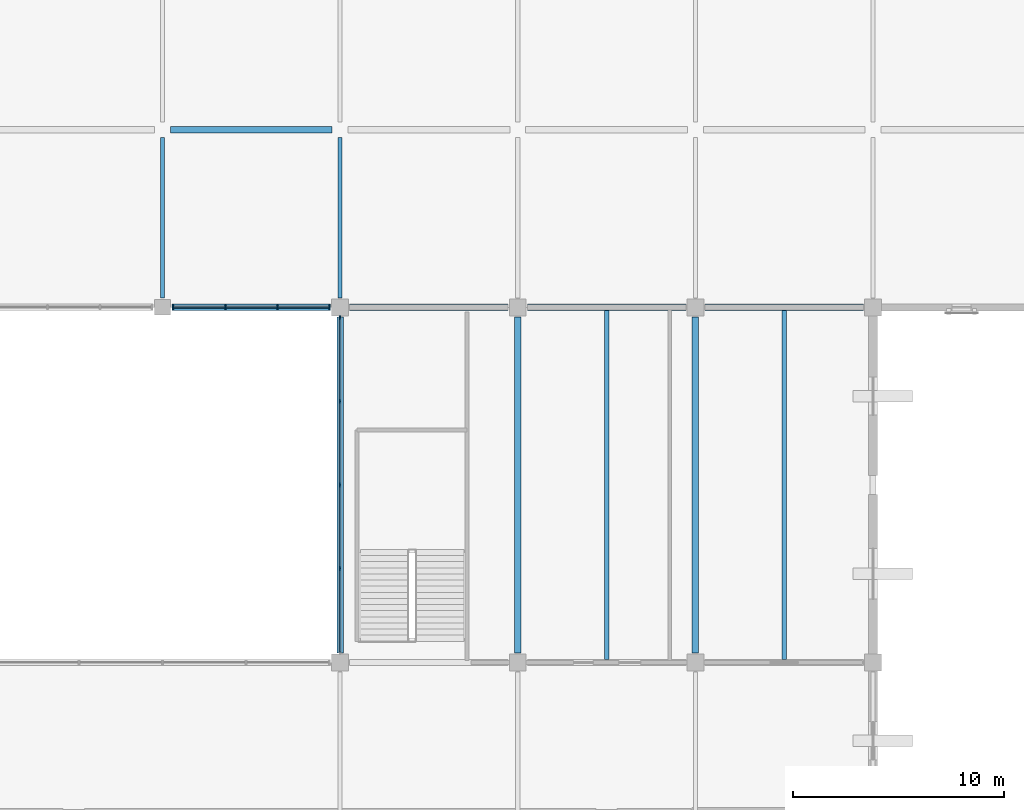
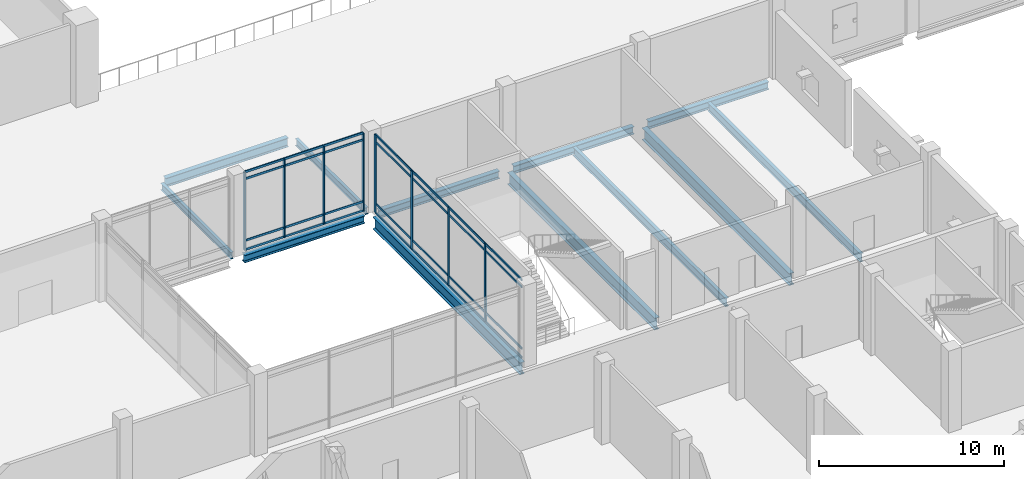
# One storey, part 25 of 72: 36 members, 12 beams, 2 elements without a shape of their own.
"""IFC4 building model written with IfcOpenShell, lengths in metres."""

from ifc_helpers import new_model, si_unit, direction, frame, origin, origin_2d, place, context, subcontext, project, spatial, rectangle, i_section, extrude, material, layer, layer_set, material_profile, profile_set, type_object, element, aggregate, save


model = new_model("IFC4")

# Units and contexts
model_context = context("Model", 3, precision=1e-05, world=origin(), true_north=direction((0.0, 1.0)))
body_context = subcontext(model_context, "Body", "Model", "MODEL_VIEW")
ifc_project = project(units=[si_unit("LENGTHUNIT", "METRE"), si_unit("AREAUNIT", "SQUARE_METRE"), si_unit("VOLUMEUNIT", "CUBIC_METRE"), si_unit("PLANEANGLEUNIT", "RADIAN"), si_unit("MASSUNIT", "GRAM", prefix="KILO")], contexts=[model_context])

# Site, building, storey
site_placement = place(None, origin())
site = spatial("IfcSite", under=ifc_project, at=site_placement, CompositionType="ELEMENT")
building_placement = place(site_placement, origin())
building = spatial("IfcBuilding", under=site, at=building_placement, Name="Qawsi Khor Wholesale Market", CompositionType="ELEMENT")
storey_placement = place(building_placement, frame((0.0, 0.0, 6.0)))
storey = spatial("IfcBuildingStorey", under=building, at=storey_placement, Name="L01", CompositionType="ELEMENT", Elevation=6.0)

# Curtain wall, members
ifc_material_1 = material(Name="Aluminium Anodised Bronze", Category="aluminium")
ifc_layer = layer(ifc_material_1, 0.179931640625, Name="Aluminium Anodised Bronze")
ifc_layer_set = layer_set([ifc_layer], Name="Aluminium Anodised Bronze")
curtain_wall_type = type_object("IfcCurtainWallType", Name="Atrium Full-Height Curtain Wall CW-02", PredefinedType="NOTDEFINED", material=ifc_layer_set)
curtain_wall_1_placement = place(storey_placement, origin())
curtain_wall_1 = element("IfcCurtainWall", 1, at=curtain_wall_1_placement, inside=storey, type_object=curtain_wall_type, Name="Curtain wall CW-CW-02-L01-038", PredefinedType="NOTDEFINED")
ifc_material_profile_1 = material_profile(ifc_material_1, rectangle(XDim=0.070068359375, YDim=0.199951171875, at=origin_2d()), Name="ALU MULLION 70x200")
ifc_profile_set_1 = profile_set([ifc_material_profile_1], Name="Aluminium Anodised Bronze")
member_type_1 = type_object("IfcMemberType", Name="Curtain Wall Mullion CW-02 ALU MULLION 70x200", PredefinedType="MULLION", material=ifc_profile_set_1)
member_1_placement = place(storey_placement, frame((160.094970703125, 42.0, -0.02001953125), z_axis=(0.0, 0.0, 1.0), x_axis=(1.0, 0.0, 0.0)))
member_1 = element("IfcMember", 2, at=member_1_placement, type_object=member_type_1, Name="Mullion CW-CW-02-L01-038-M00", PredefinedType="MULLION", context=body_context, shape_type="SweptSolid", body=[
    extrude(rectangle(XDim=0.070068359375, YDim=0.199951171875, at=origin_2d()), origin(), (0.0, 0.0, 1.0), 5.14013671875),
])
member_2_placement = place(storey_placement, frame((162.56494140625, 42.0, -0.02001953125), z_axis=(0.0, 0.0, 1.0), x_axis=(1.0, 0.0, 0.0)))
member_2 = element("IfcMember", 3, at=member_2_placement, type_object=member_type_1, Name="Mullion CW-CW-02-L01-038-M01", PredefinedType="MULLION", context=body_context, shape_type="SweptSolid", body=[
    extrude(rectangle(XDim=0.070068359375, YDim=0.199951171875, at=origin_2d()), origin(), (0.0, 0.0, 1.0), 5.14013671875),
])
member_3_placement = place(storey_placement, frame((165.034912109375, 42.0, -0.02001953125), z_axis=(0.0, 0.0, 1.0), x_axis=(1.0, 0.0, 0.0)))
member_3 = element("IfcMember", 4, at=member_3_placement, type_object=member_type_1, Name="Mullion CW-CW-02-L01-038-M02", PredefinedType="MULLION", context=body_context, shape_type="SweptSolid", body=[
    extrude(rectangle(XDim=0.070068359375, YDim=0.199951171875, at=origin_2d()), origin(), (0.0, 0.0, 1.0), 5.14013671875),
])
member_4_placement = place(storey_placement, frame((167.5048828125, 42.0, -0.02001953125), z_axis=(0.0, 0.0, 1.0), x_axis=(1.0, 0.0, 0.0)))
member_4 = element("IfcMember", 5, at=member_4_placement, type_object=member_type_1, Name="Mullion CW-CW-02-L01-038-M03", PredefinedType="MULLION", context=body_context, shape_type="SweptSolid", body=[
    extrude(rectangle(XDim=0.070068359375, YDim=0.199951171875, at=origin_2d()), origin(), (0.0, 0.0, 1.0), 5.14013671875),
])

curtain_wall_2_placement = place(storey_placement, origin())
curtain_wall_2 = element("IfcCurtainWall", 6, at=curtain_wall_2_placement, inside=storey, type_object=curtain_wall_type, Name="Curtain wall CW-CW-02-L01-040", PredefinedType="NOTDEFINED")
member_5_placement = place(storey_placement, frame((168.0, 29.6474609375, -0.02001953125), z_axis=(0.0, 0.0, 1.0), x_axis=(1.0, 0.0, 0.0)))
member_5 = element("IfcMember", 7, at=member_5_placement, type_object=member_type_1, Name="Mullion CW-CW-02-L01-040-M01", PredefinedType="MULLION", context=body_context, shape_type="SweptSolid", body=[
    extrude(rectangle(XDim=0.070068359375, YDim=0.199951171875, at=origin_2d()), origin(), (0.0, 0.0, 1.0), 5.14013671875),
])
member_6_placement = place(storey_placement, frame((168.0, 33.60009765625, -0.02001953125), z_axis=(0.0, 0.0, 1.0), x_axis=(1.0, 0.0, 0.0)))
member_6 = element("IfcMember", 8, at=member_6_placement, type_object=member_type_1, Name="Mullion CW-CW-02-L01-040-M02", PredefinedType="MULLION", context=body_context, shape_type="SweptSolid", body=[
    extrude(rectangle(XDim=0.070068359375, YDim=0.199951171875, at=origin_2d()), origin(), (0.0, 0.0, 1.0), 5.14013671875),
])
member_7_placement = place(storey_placement, frame((168.0, 37.552490234375, -0.02001953125), z_axis=(0.0, 0.0, 1.0), x_axis=(1.0, 0.0, 0.0)))
member_7 = element("IfcMember", 9, at=member_7_placement, type_object=member_type_1, Name="Mullion CW-CW-02-L01-040-M03", PredefinedType="MULLION", context=body_context, shape_type="SweptSolid", body=[
    extrude(rectangle(XDim=0.070068359375, YDim=0.199951171875, at=origin_2d()), origin(), (0.0, 0.0, 1.0), 5.14013671875),
])
member_8_placement = place(storey_placement, frame((168.0, 41.5048828125, -0.02001953125), z_axis=(0.0, 0.0, 1.0), x_axis=(1.0, 0.0, 0.0)))
member_8 = element("IfcMember", 10, at=member_8_placement, type_object=member_type_1, Name="Mullion CW-CW-02-L01-040-M04", PredefinedType="MULLION", context=body_context, shape_type="SweptSolid", body=[
    extrude(rectangle(XDim=0.070068359375, YDim=0.199951171875, at=origin_2d()), origin(), (0.0, 0.0, 1.0), 5.14013671875),
])

# Member
ifc_material_profile_2 = material_profile(ifc_material_1, rectangle(XDim=0.06494140625, YDim=0.139892578125, at=origin_2d()), Name="ALU TRANSOM 65x140")
ifc_profile_set_2 = profile_set([ifc_material_profile_2], Name="Aluminium Anodised Bronze")
member_type_2 = type_object("IfcMemberType", Name="Curtain Wall Transom CW-02 ALU TRANSOM 65x140", PredefinedType="USERDEFINED", material=ifc_profile_set_2)
member_9_placement = place(storey_placement, frame((160.094970703125, 42.0, 0.0), z_axis=(1.0, 0.0, 0.0), x_axis=(0.0, 1.0, 0.0)))
member_9 = element("IfcMember", 11, at=member_9_placement, type_object=member_type_2, Name="Transom CW-CW-02-L01-038-T0_00", ObjectType="TRANSOM", PredefinedType="USERDEFINED", context=body_context, shape_type="SweptSolid", body=[
    extrude(rectangle(XDim=0.06494140625, YDim=0.139892578125, at=origin_2d()), origin(), (0.0, 0.0, 1.0), 2.469970703125),
])

member_10_placement = place(storey_placement, frame((162.56494140625, 42.0, 0.0), z_axis=(1.0, 0.0, 0.0), x_axis=(0.0, 1.0, 0.0)))
member_10 = element("IfcMember", 12, at=member_10_placement, type_object=member_type_2, Name="Transom CW-CW-02-L01-038-T0_01", ObjectType="TRANSOM", PredefinedType="USERDEFINED", context=body_context, shape_type="SweptSolid", body=[
    extrude(rectangle(XDim=0.06494140625, YDim=0.139892578125, at=origin_2d()), origin(), (0.0, 0.0, 1.0), 2.469970703125),
])

member_11_placement = place(storey_placement, frame((165.034912109375, 42.0, 0.0), z_axis=(1.0, 0.0, 0.0), x_axis=(0.0, 1.0, 0.0)))
member_11 = element("IfcMember", 13, at=member_11_placement, type_object=member_type_2, Name="Transom CW-CW-02-L01-038-T0_02", ObjectType="TRANSOM", PredefinedType="USERDEFINED", context=body_context, shape_type="SweptSolid", body=[
    extrude(rectangle(XDim=0.06494140625, YDim=0.139892578125, at=origin_2d()), origin(), (0.0, 0.0, 1.0), 2.469970703125),
])

member_12_placement = place(storey_placement, frame((160.094970703125, 42.0, 0.60009765625), z_axis=(1.0, 0.0, 0.0), x_axis=(0.0, 1.0, 0.0)))
member_12 = element("IfcMember", 14, at=member_12_placement, type_object=member_type_2, Name="Transom CW-CW-02-L01-038-T1_00", ObjectType="TRANSOM", PredefinedType="USERDEFINED", context=body_context, shape_type="SweptSolid", body=[
    extrude(rectangle(XDim=0.06494140625, YDim=0.139892578125, at=origin_2d()), origin(), (0.0, 0.0, 1.0), 2.469970703125),
])

member_13_placement = place(storey_placement, frame((162.56494140625, 42.0, 0.60009765625), z_axis=(1.0, 0.0, 0.0), x_axis=(0.0, 1.0, 0.0)))
member_13 = element("IfcMember", 15, at=member_13_placement, type_object=member_type_2, Name="Transom CW-CW-02-L01-038-T1_01", ObjectType="TRANSOM", PredefinedType="USERDEFINED", context=body_context, shape_type="SweptSolid", body=[
    extrude(rectangle(XDim=0.06494140625, YDim=0.139892578125, at=origin_2d()), origin(), (0.0, 0.0, 1.0), 2.469970703125),
])

member_14_placement = place(storey_placement, frame((165.034912109375, 42.0, 0.60009765625), z_axis=(1.0, 0.0, 0.0), x_axis=(0.0, 1.0, 0.0)))
member_14 = element("IfcMember", 16, at=member_14_placement, type_object=member_type_2, Name="Transom CW-CW-02-L01-038-T1_02", ObjectType="TRANSOM", PredefinedType="USERDEFINED", context=body_context, shape_type="SweptSolid", body=[
    extrude(rectangle(XDim=0.06494140625, YDim=0.139892578125, at=origin_2d()), origin(), (0.0, 0.0, 1.0), 2.469970703125),
])

member_15_placement = place(storey_placement, frame((160.094970703125, 42.0, 4.669921875), z_axis=(1.0, 0.0, 0.0), x_axis=(0.0, 1.0, 0.0)))
member_15 = element("IfcMember", 17, at=member_15_placement, type_object=member_type_2, Name="Transom CW-CW-02-L01-038-T2_00", ObjectType="TRANSOM", PredefinedType="USERDEFINED", context=body_context, shape_type="SweptSolid", body=[
    extrude(rectangle(XDim=0.06494140625, YDim=0.139892578125, at=origin_2d()), origin(), (0.0, 0.0, 1.0), 2.469970703125),
])

member_16_placement = place(storey_placement, frame((162.56494140625, 42.0, 4.669921875), z_axis=(1.0, 0.0, 0.0), x_axis=(0.0, 1.0, 0.0)))
member_16 = element("IfcMember", 18, at=member_16_placement, type_object=member_type_2, Name="Transom CW-CW-02-L01-038-T2_01", ObjectType="TRANSOM", PredefinedType="USERDEFINED", context=body_context, shape_type="SweptSolid", body=[
    extrude(rectangle(XDim=0.06494140625, YDim=0.139892578125, at=origin_2d()), origin(), (0.0, 0.0, 1.0), 2.469970703125),
])

member_17_placement = place(storey_placement, frame((165.034912109375, 42.0, 4.669921875), z_axis=(1.0, 0.0, 0.0), x_axis=(0.0, 1.0, 0.0)))
member_17 = element("IfcMember", 19, at=member_17_placement, type_object=member_type_2, Name="Transom CW-CW-02-L01-038-T2_02", ObjectType="TRANSOM", PredefinedType="USERDEFINED", context=body_context, shape_type="SweptSolid", body=[
    extrude(rectangle(XDim=0.06494140625, YDim=0.139892578125, at=origin_2d()), origin(), (0.0, 0.0, 1.0), 2.469970703125),
])

member_18_placement = place(storey_placement, frame((160.094970703125, 42.0, 5.1201171875), z_axis=(1.0, 0.0, 0.0), x_axis=(0.0, 1.0, 0.0)))
member_18 = element("IfcMember", 20, at=member_18_placement, type_object=member_type_2, Name="Transom CW-CW-02-L01-038-T3_00", ObjectType="TRANSOM", PredefinedType="USERDEFINED", context=body_context, shape_type="SweptSolid", body=[
    extrude(rectangle(XDim=0.06494140625, YDim=0.139892578125, at=origin_2d()), origin(), (0.0, 0.0, 1.0), 2.469970703125),
])

member_19_placement = place(storey_placement, frame((162.56494140625, 42.0, 5.1201171875), z_axis=(1.0, 0.0, 0.0), x_axis=(0.0, 1.0, 0.0)))
member_19 = element("IfcMember", 21, at=member_19_placement, type_object=member_type_2, Name="Transom CW-CW-02-L01-038-T3_01", ObjectType="TRANSOM", PredefinedType="USERDEFINED", context=body_context, shape_type="SweptSolid", body=[
    extrude(rectangle(XDim=0.06494140625, YDim=0.139892578125, at=origin_2d()), origin(), (0.0, 0.0, 1.0), 2.469970703125),
])

member_20_placement = place(storey_placement, frame((165.034912109375, 42.0, 5.1201171875), z_axis=(1.0, 0.0, 0.0), x_axis=(0.0, 1.0, 0.0)))
member_20 = element("IfcMember", 22, at=member_20_placement, type_object=member_type_2, Name="Transom CW-CW-02-L01-038-T3_02", ObjectType="TRANSOM", PredefinedType="USERDEFINED", context=body_context, shape_type="SweptSolid", body=[
    extrude(rectangle(XDim=0.06494140625, YDim=0.139892578125, at=origin_2d()), origin(), (0.0, 0.0, 1.0), 2.469970703125),
])

aggregate(curtain_wall_1, [member_1, member_2, member_3, member_4, member_9, member_10, member_11, member_12, member_13, member_14, member_15, member_16, member_17, member_18, member_19, member_20])

member_21_placement = place(storey_placement, frame((168.0, 25.695068359375, 0.0), z_axis=(0.0, 1.0, 0.0), x_axis=(-1.0, 0.0, 0.0)))
member_21 = element("IfcMember", 23, at=member_21_placement, type_object=member_type_2, Name="Transom CW-CW-02-L01-040-T0_00", ObjectType="TRANSOM", PredefinedType="USERDEFINED", context=body_context, shape_type="SweptSolid", body=[
    extrude(rectangle(XDim=0.06494140625, YDim=0.139892578125, at=origin_2d()), origin(), (0.0, 0.0, 1.0), 3.952392578125),
])

member_22_placement = place(storey_placement, frame((168.0, 29.6474609375, 0.0), z_axis=(0.0, 1.0, 0.0), x_axis=(-1.0, 0.0, 0.0)))
member_22 = element("IfcMember", 24, at=member_22_placement, type_object=member_type_2, Name="Transom CW-CW-02-L01-040-T0_01", ObjectType="TRANSOM", PredefinedType="USERDEFINED", context=body_context, shape_type="SweptSolid", body=[
    extrude(rectangle(XDim=0.06494140625, YDim=0.139892578125, at=origin_2d()), origin(), (0.0, 0.0, 1.0), 3.95263671875),
])

member_23_placement = place(storey_placement, frame((168.0, 33.60009765625, 0.0), z_axis=(0.0, 1.0, 0.0), x_axis=(-1.0, 0.0, 0.0)))
member_23 = element("IfcMember", 25, at=member_23_placement, type_object=member_type_2, Name="Transom CW-CW-02-L01-040-T0_02", ObjectType="TRANSOM", PredefinedType="USERDEFINED", context=body_context, shape_type="SweptSolid", body=[
    extrude(rectangle(XDim=0.06494140625, YDim=0.139892578125, at=origin_2d()), origin(), (0.0, 0.0, 1.0), 3.952392578125),
])

member_24_placement = place(storey_placement, frame((168.0, 37.552490234375, 0.0), z_axis=(0.0, 1.0, 0.0), x_axis=(-1.0, 0.0, 0.0)))
member_24 = element("IfcMember", 26, at=member_24_placement, type_object=member_type_2, Name="Transom CW-CW-02-L01-040-T0_03", ObjectType="TRANSOM", PredefinedType="USERDEFINED", context=body_context, shape_type="SweptSolid", body=[
    extrude(rectangle(XDim=0.06494140625, YDim=0.139892578125, at=origin_2d()), origin(), (0.0, 0.0, 1.0), 3.952392578125),
])

member_25_placement = place(storey_placement, frame((168.0, 25.695068359375, 0.60009765625), z_axis=(0.0, 1.0, 0.0), x_axis=(-1.0, 0.0, 0.0)))
member_25 = element("IfcMember", 27, at=member_25_placement, type_object=member_type_2, Name="Transom CW-CW-02-L01-040-T1_00", ObjectType="TRANSOM", PredefinedType="USERDEFINED", context=body_context, shape_type="SweptSolid", body=[
    extrude(rectangle(XDim=0.06494140625, YDim=0.139892578125, at=origin_2d()), origin(), (0.0, 0.0, 1.0), 3.952392578125),
])

member_26_placement = place(storey_placement, frame((168.0, 29.6474609375, 0.60009765625), z_axis=(0.0, 1.0, 0.0), x_axis=(-1.0, 0.0, 0.0)))
member_26 = element("IfcMember", 28, at=member_26_placement, type_object=member_type_2, Name="Transom CW-CW-02-L01-040-T1_01", ObjectType="TRANSOM", PredefinedType="USERDEFINED", context=body_context, shape_type="SweptSolid", body=[
    extrude(rectangle(XDim=0.06494140625, YDim=0.139892578125, at=origin_2d()), origin(), (0.0, 0.0, 1.0), 3.95263671875),
])

member_27_placement = place(storey_placement, frame((168.0, 33.60009765625, 0.60009765625), z_axis=(0.0, 1.0, 0.0), x_axis=(-1.0, 0.0, 0.0)))
member_27 = element("IfcMember", 29, at=member_27_placement, type_object=member_type_2, Name="Transom CW-CW-02-L01-040-T1_02", ObjectType="TRANSOM", PredefinedType="USERDEFINED", context=body_context, shape_type="SweptSolid", body=[
    extrude(rectangle(XDim=0.06494140625, YDim=0.139892578125, at=origin_2d()), origin(), (0.0, 0.0, 1.0), 3.952392578125),
])

member_28_placement = place(storey_placement, frame((168.0, 37.552490234375, 0.60009765625), z_axis=(0.0, 1.0, 0.0), x_axis=(-1.0, 0.0, 0.0)))
member_28 = element("IfcMember", 30, at=member_28_placement, type_object=member_type_2, Name="Transom CW-CW-02-L01-040-T1_03", ObjectType="TRANSOM", PredefinedType="USERDEFINED", context=body_context, shape_type="SweptSolid", body=[
    extrude(rectangle(XDim=0.06494140625, YDim=0.139892578125, at=origin_2d()), origin(), (0.0, 0.0, 1.0), 3.952392578125),
])

member_29_placement = place(storey_placement, frame((168.0, 25.695068359375, 4.669921875), z_axis=(0.0, 1.0, 0.0), x_axis=(-1.0, 0.0, 0.0)))
member_29 = element("IfcMember", 31, at=member_29_placement, type_object=member_type_2, Name="Transom CW-CW-02-L01-040-T2_00", ObjectType="TRANSOM", PredefinedType="USERDEFINED", context=body_context, shape_type="SweptSolid", body=[
    extrude(rectangle(XDim=0.06494140625, YDim=0.139892578125, at=origin_2d()), origin(), (0.0, 0.0, 1.0), 3.952392578125),
])

member_30_placement = place(storey_placement, frame((168.0, 29.6474609375, 4.669921875), z_axis=(0.0, 1.0, 0.0), x_axis=(-1.0, 0.0, 0.0)))
member_30 = element("IfcMember", 32, at=member_30_placement, type_object=member_type_2, Name="Transom CW-CW-02-L01-040-T2_01", ObjectType="TRANSOM", PredefinedType="USERDEFINED", context=body_context, shape_type="SweptSolid", body=[
    extrude(rectangle(XDim=0.06494140625, YDim=0.139892578125, at=origin_2d()), origin(), (0.0, 0.0, 1.0), 3.95263671875),
])

member_31_placement = place(storey_placement, frame((168.0, 33.60009765625, 4.669921875), z_axis=(0.0, 1.0, 0.0), x_axis=(-1.0, 0.0, 0.0)))
member_31 = element("IfcMember", 33, at=member_31_placement, type_object=member_type_2, Name="Transom CW-CW-02-L01-040-T2_02", ObjectType="TRANSOM", PredefinedType="USERDEFINED", context=body_context, shape_type="SweptSolid", body=[
    extrude(rectangle(XDim=0.06494140625, YDim=0.139892578125, at=origin_2d()), origin(), (0.0, 0.0, 1.0), 3.952392578125),
])

member_32_placement = place(storey_placement, frame((168.0, 37.552490234375, 4.669921875), z_axis=(0.0, 1.0, 0.0), x_axis=(-1.0, 0.0, 0.0)))
member_32 = element("IfcMember", 34, at=member_32_placement, type_object=member_type_2, Name="Transom CW-CW-02-L01-040-T2_03", ObjectType="TRANSOM", PredefinedType="USERDEFINED", context=body_context, shape_type="SweptSolid", body=[
    extrude(rectangle(XDim=0.06494140625, YDim=0.139892578125, at=origin_2d()), origin(), (0.0, 0.0, 1.0), 3.952392578125),
])

member_33_placement = place(storey_placement, frame((168.0, 25.695068359375, 5.1201171875), z_axis=(0.0, 1.0, 0.0), x_axis=(-1.0, 0.0, 0.0)))
member_33 = element("IfcMember", 35, at=member_33_placement, type_object=member_type_2, Name="Transom CW-CW-02-L01-040-T3_00", ObjectType="TRANSOM", PredefinedType="USERDEFINED", context=body_context, shape_type="SweptSolid", body=[
    extrude(rectangle(XDim=0.06494140625, YDim=0.139892578125, at=origin_2d()), origin(), (0.0, 0.0, 1.0), 3.952392578125),
])

member_34_placement = place(storey_placement, frame((168.0, 29.6474609375, 5.1201171875), z_axis=(0.0, 1.0, 0.0), x_axis=(-1.0, 0.0, 0.0)))
member_34 = element("IfcMember", 36, at=member_34_placement, type_object=member_type_2, Name="Transom CW-CW-02-L01-040-T3_01", ObjectType="TRANSOM", PredefinedType="USERDEFINED", context=body_context, shape_type="SweptSolid", body=[
    extrude(rectangle(XDim=0.06494140625, YDim=0.139892578125, at=origin_2d()), origin(), (0.0, 0.0, 1.0), 3.95263671875),
])

member_35_placement = place(storey_placement, frame((168.0, 33.60009765625, 5.1201171875), z_axis=(0.0, 1.0, 0.0), x_axis=(-1.0, 0.0, 0.0)))
member_35 = element("IfcMember", 37, at=member_35_placement, type_object=member_type_2, Name="Transom CW-CW-02-L01-040-T3_02", ObjectType="TRANSOM", PredefinedType="USERDEFINED", context=body_context, shape_type="SweptSolid", body=[
    extrude(rectangle(XDim=0.06494140625, YDim=0.139892578125, at=origin_2d()), origin(), (0.0, 0.0, 1.0), 3.952392578125),
])

member_36_placement = place(storey_placement, frame((168.0, 37.552490234375, 5.1201171875), z_axis=(0.0, 1.0, 0.0), x_axis=(-1.0, 0.0, 0.0)))
member_36 = element("IfcMember", 38, at=member_36_placement, type_object=member_type_2, Name="Transom CW-CW-02-L01-040-T3_03", ObjectType="TRANSOM", PredefinedType="USERDEFINED", context=body_context, shape_type="SweptSolid", body=[
    extrude(rectangle(XDim=0.06494140625, YDim=0.139892578125, at=origin_2d()), origin(), (0.0, 0.0, 1.0), 3.952392578125),
])

aggregate(curtain_wall_2, [member_5, member_6, member_7, member_8, member_21, member_22, member_23, member_24, member_25, member_26, member_27, member_28, member_29, member_30, member_31, member_32, member_33, member_34, member_35, member_36])

# Beams
ifc_material_2 = material(Name="Steel S355", Category="steel")
ifc_material_profile_3 = material_profile(ifc_material_2, i_section(OverallWidth=0.300048828125, OverallDepth=0.5, WebThickness=0.014404296875, FlangeThickness=0.028076171875, FilletRadius=0.027099609375, at=origin_2d()), Name="HEB 500")
ifc_profile_set_3 = profile_set([ifc_material_profile_3], Name="Steel S355")
beam_type_1 = type_object("IfcBeamType", Name="Heavy Edge Girder HEB 500", PredefinedType="BEAM", material=ifc_profile_set_3)
for number, where, z_axis, x_axis, name in (
    (39, (160.050048828125, 42.0, -0.530029296875), (1.0, 0.0, 0.0), (0.0, 1.0, 0.0), "BM-X-L01-19_+05"),
    (40, (168.449951171875, 42.0, -0.530029296875), (1.0, 0.0, 0.0), (0.0, 1.0, 0.0), "BM-X-L01-20_+05"),
    (41, (176.85009765625, 42.0, -0.530029296875), (1.0, 0.0, 0.0), (0.0, 1.0, 0.0), "BM-X-L01-21_+05"),
    (42, (185.25, 42.0, -0.530029296875), (1.0, 0.0, 0.0), (0.0, 1.0, 0.0), "BM-X-L01-22_+05"),
):
    element("IfcBeam", number, at=place(storey_placement, frame(where, z_axis=z_axis, x_axis=x_axis)), inside=storey, type_object=beam_type_1, Name=name, PredefinedType="BEAM", context=body_context, shape_type="SweptSolid", body=[
        extrude(i_section(OverallWidth=0.300048828125, OverallDepth=0.5, WebThickness=0.014404296875, FlangeThickness=0.028076171875, FilletRadius=0.027099609375, at=origin_2d()), origin(), (0.0, 0.0, 1.0), 7.5),
    ])
ifc_material_profile_4 = material_profile(ifc_material_2, i_section(OverallWidth=0.300048828125, OverallDepth=0.590087890625, WebThickness=0.012939453125, FlangeThickness=0.02490234375, FilletRadius=0.027099609375, at=origin_2d()), Name="HEA 600")
ifc_profile_set_4 = profile_set([ifc_material_profile_4], Name="Steel S355")
beam_type_2 = type_object("IfcBeamType", Name="Primary Girder HEA 600", PredefinedType="BEAM", material=ifc_profile_set_4)
beam_placement = place(storey_placement, frame((159.97509765625, 50.39990234375, -0.56494140625), z_axis=(1.0, 0.0, 0.0), x_axis=(0.0, 1.0, 0.0)))
element("IfcBeam", 43, at=beam_placement, inside=storey, type_object=beam_type_2, Name="BM-X-L01-19_+06", PredefinedType="BEAM", context=body_context, shape_type="SweptSolid", body=[
    extrude(i_section(OverallWidth=0.300048828125, OverallDepth=0.590087890625, WebThickness=0.012939453125, FlangeThickness=0.02490234375, FilletRadius=0.027099609375, at=origin_2d()), origin(), (0.0, 0.0, 1.0), 7.64990234375),
])
ifc_material_profile_5 = material_profile(ifc_material_2, i_section(OverallWidth=0.300048828125, OverallDepth=0.7900390625, WebThickness=0.014892578125, FlangeThickness=0.028076171875, FilletRadius=0.030029296875, at=origin_2d()), Name="HEA 800")
ifc_profile_set_5 = profile_set([ifc_material_profile_5], Name="Steel S355")
beam_type_3 = type_object("IfcBeamType", Name="Primary Girder HEA 800", PredefinedType="BEAM", material=ifc_profile_set_5)
for number, where, z_axis, x_axis, name in (
    (44, (168.0, 25.64990234375, -0.675048828125), (0.0, 1.0, 0.0), (-1.0, 0.0, 0.0), "BM-YL-L01-20_+03"),
    (45, (176.39990234375, 25.64990234375, -0.675048828125), (0.0, 1.0, 0.0), (-1.0, 0.0, 0.0), "BM-YL-L01-21_+03"),
    (46, (184.800048828125, 25.64990234375, -0.675048828125), (0.0, 1.0, 0.0), (-1.0, 0.0, 0.0), "BM-YL-L01-22_+03"),
):
    element("IfcBeam", number, at=place(storey_placement, frame(where, z_axis=z_axis, x_axis=x_axis)), inside=storey, type_object=beam_type_3, Name=name, PredefinedType="BEAM", context=body_context, shape_type="SweptSolid", body=[
        extrude(i_section(OverallWidth=0.300048828125, OverallDepth=0.7900390625, WebThickness=0.014892578125, FlangeThickness=0.028076171875, FilletRadius=0.030029296875, at=origin_2d()), origin(), (0.0, 0.0, 1.0), 15.900146484375),
    ])
ifc_material_profile_6 = material_profile(ifc_material_2, i_section(OverallWidth=0.18994140625, OverallDepth=0.449951171875, WebThickness=0.009521484375, FlangeThickness=0.0146484375, FilletRadius=0.02099609375, at=origin_2d()), Name="IPE 450")
ifc_profile_set_6 = profile_set([ifc_material_profile_6], Name="Steel S355")
beam_type_4 = type_object("IfcBeamType", Name="Secondary Beam IPE 450", PredefinedType="BEAM", material=ifc_profile_set_6)
for number, where, z_axis, x_axis, name in (
    (47, (159.60009765625, 42.449951171875, -0.4951171875), (0.0, 1.0, 0.0), (-1.0, 0.0, 0.0), "BM-Y-L01-19_+05"),
    (48, (168.0, 42.449951171875, -0.4951171875), (0.0, 1.0, 0.0), (-1.0, 0.0, 0.0), "BM-Y-L01-20_+05"),
):
    element("IfcBeam", number, at=place(storey_placement, frame(where, z_axis=z_axis, x_axis=x_axis)), inside=storey, type_object=beam_type_4, Name=name, PredefinedType="BEAM", context=body_context, shape_type="SweptSolid", body=[
        extrude(i_section(OverallWidth=0.18994140625, OverallDepth=0.449951171875, WebThickness=0.009521484375, FlangeThickness=0.0146484375, FilletRadius=0.02099609375, at=origin_2d()), origin(), (0.0, 0.0, 1.0), 7.574951171875),
    ])
ifc_material_profile_7 = material_profile(ifc_material_2, i_section(OverallWidth=0.2099609375, OverallDepth=0.550048828125, WebThickness=0.010986328125, FlangeThickness=0.01708984375, FilletRadius=0.02392578125, at=origin_2d()), Name="IPE 550")
ifc_profile_set_7 = profile_set([ifc_material_profile_7], Name="Steel S355")
beam_type_5 = type_object("IfcBeamType", Name="Secondary Beam IPE 550", PredefinedType="BEAM", material=ifc_profile_set_7)
for number, where, z_axis, x_axis, name in (
    (49, (180.60009765625, 25.35009765625, -0.554931640625), (0.0, 1.0, 0.0), (-1.0, 0.0, 0.0), "JST-M-L01-21"),
    (50, (189.0, 25.35009765625, -0.554931640625), (0.0, 1.0, 0.0), (-1.0, 0.0, 0.0), "JST-M-L01-22"),
):
    element("IfcBeam", number, at=place(storey_placement, frame(where, z_axis=z_axis, x_axis=x_axis)), inside=storey, type_object=beam_type_5, Name=name, PredefinedType="BEAM", context=body_context, shape_type="SweptSolid", body=[
        extrude(i_section(OverallWidth=0.2099609375, OverallDepth=0.550048828125, WebThickness=0.010986328125, FlangeThickness=0.01708984375, FilletRadius=0.02392578125, at=origin_2d()), origin(), (0.0, 0.0, 1.0), 16.5),
    ])

save(model, "model.ifc")
